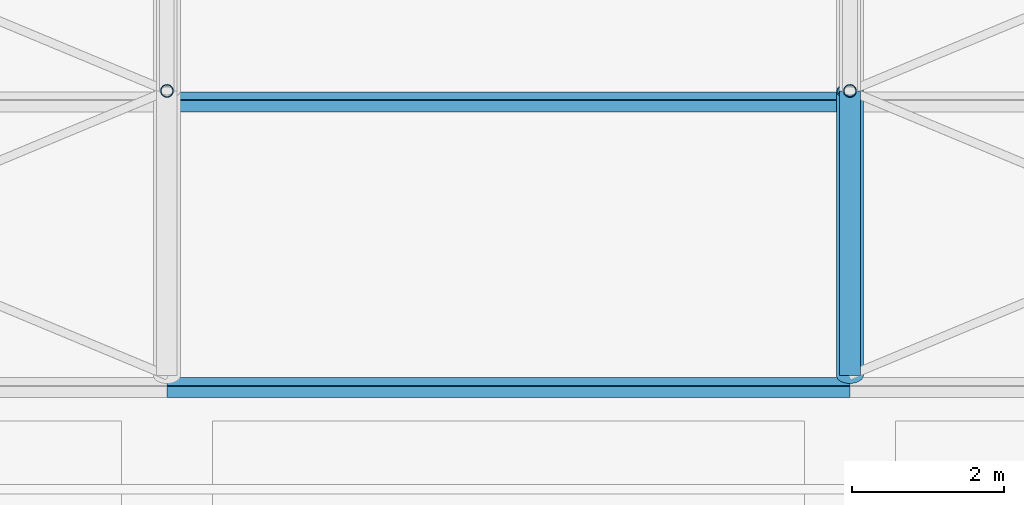
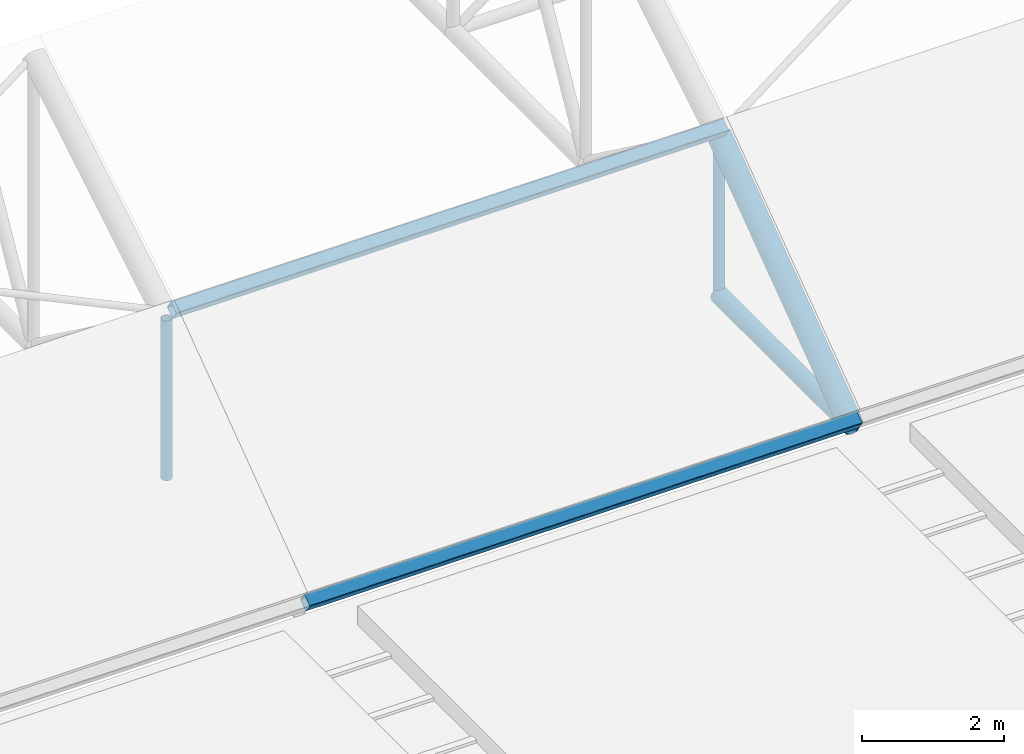
# One storey, part 22 of 153: 6 members.
"""IFC4 building model written with IfcOpenShell, lengths in metres."""

from ifc_helpers import new_model, si_unit, direction, frame, origin, origin_2d, place, context, subcontext, project, spatial, hollow_rectangle, hollow_circle, extrude, material, material_profile, profile_set, type_object, element, save


model = new_model("IFC4")

# Units and contexts
model_context = context("Model", 3, precision=1e-05, world=origin(), true_north=direction((0.0, 1.0)))
body_context = subcontext(model_context, "Body", "Model", "MODEL_VIEW")
ifc_project = project(units=[si_unit("LENGTHUNIT", "METRE"), si_unit("AREAUNIT", "SQUARE_METRE"), si_unit("VOLUMEUNIT", "CUBIC_METRE"), si_unit("PLANEANGLEUNIT", "RADIAN"), si_unit("MASSUNIT", "GRAM", prefix="KILO")], contexts=[model_context])

# Site, building, storey
site_placement = place(None, origin())
site = spatial("IfcSite", under=ifc_project, at=site_placement, CompositionType="ELEMENT")
building_placement = place(site_placement, origin())
building = spatial("IfcBuilding", under=site, at=building_placement, Name="Baradari Gate Terminus", CompositionType="ELEMENT")
storey_placement = place(building_placement, frame((0.0, 0.0, 11.699951171875)))
storey = spatial("IfcBuildingStorey", under=building, at=storey_placement, Name="L02", CompositionType="ELEMENT", Elevation=11.699951171875)

# Members
ifc_material_1 = material(Name="Steel S355", Category="steel")
ifc_material_profile_1 = material_profile(ifc_material_1, hollow_circle(Radius=0.136474609375, WallThickness=0.012451171875, at=origin_2d()), Name="CHS 273x12.5")
ifc_profile_set_1 = profile_set([ifc_material_profile_1], Name="Steel S355")
member_type_1 = type_object("IfcMemberType", Name="Shed bottom chord CHS 273x12.5", PredefinedType="CHORD", material=ifc_profile_set_1)
member_1_placement = place(storey_placement, frame((117.0, 36.0, 0.136474609375), z_axis=(0.0, 1.0, 0.0), x_axis=(-1.0, 0.0, 0.0)))
element("IfcMember", 1, at=member_1_placement, inside=storey, type_object=member_type_1, Name="TR/L02/S117-BC00", PredefinedType="CHORD", context=body_context, shape_type="SweptSolid", body=[
    extrude(hollow_circle(Radius=0.136474609375, WallThickness=0.012451171875, at=origin_2d()), origin(), (0.0, 0.0, 1.0), 3.75),
])
ifc_material_2 = material(Name="Steel S355", Category="steel")
ifc_material_profile_2 = material_profile(ifc_material_2, hollow_rectangle(XDim=0.199951171875, YDim=0.199951171875, WallThickness=0.008056640625, InnerFilletRadius=0.008056640625, OuterFilletRadius=0.01611328125, at=origin_2d()), Name="SHS 200x200x8")
ifc_profile_set_2 = profile_set([ifc_material_profile_2], Name="Steel S355")
member_type_2 = type_object("IfcMemberType", Name="Shed purlin SHS 200x200x8", PredefinedType="PURLIN", material=ifc_profile_set_2)
for number, where, z_axis, x_axis, name in (
    (2, (108.0, 35.8427734375, 0.350830078125), (1.0, 0.0, 0.0), (0.0, 0.80640499586, 0.591363663621), "TR/L02/B117-PU00"),
    (3, (108.0, 39.602783203125, 3.10791015625), (1.0, 0.0, 0.0), (0.0, 0.832836263724, 0.55351942859), "TR/L02/B117-PU01"),
):
    element("IfcMember", number, at=place(storey_placement, frame(where, z_axis=z_axis, x_axis=x_axis)), inside=storey, type_object=member_type_2, Name=name, PredefinedType="PURLIN", context=body_context, shape_type="SweptSolid", body=[
        extrude(hollow_rectangle(XDim=0.199951171875, YDim=0.199951171875, WallThickness=0.008056640625, InnerFilletRadius=0.008056640625, OuterFilletRadius=0.01611328125, at=origin_2d()), origin(), (0.0, 0.0, 1.0), 9.0),
    ])
ifc_material_3 = material(Name="Steel S355", Category="steel")
ifc_material_profile_3 = material_profile(ifc_material_3, hollow_circle(Radius=0.177734375, WallThickness=0.01611328125, at=origin_2d()), Name="CHS 355.6x16")
ifc_profile_set_3 = profile_set([ifc_material_profile_3], Name="Steel S355")
member_type_3 = type_object("IfcMemberType", Name="Shed top chord CHS 355.6x16", PredefinedType="CHORD", material=ifc_profile_set_3)
member_2_placement = place(storey_placement, frame((117.0, 36.0, 0.136474609375), z_axis=(0.0, 0.806404995856, 0.591363663628), x_axis=(-1.0, 0.0, 0.0)))
element("IfcMember", 4, at=member_2_placement, inside=storey, type_object=member_type_3, Name="TR/L02/S117-TC00", PredefinedType="CHORD", context=body_context, shape_type="SweptSolid", body=[
    extrude(hollow_circle(Radius=0.177734375, WallThickness=0.01611328125, at=origin_2d()), origin(), (0.0, 0.0, 1.0), 4.650390625),
])
ifc_material_4 = material(Name="Steel S355", Category="steel")
ifc_material_profile_4 = material_profile(ifc_material_4, hollow_circle(Radius=0.084228515625, WallThickness=0.008056640625, at=origin_2d()), Name="CHS 168.3x8")
ifc_profile_set_4 = profile_set([ifc_material_profile_4], Name="Steel S355")
member_type_4 = type_object("IfcMemberType", Name="Shed truss post CHS 168.3x8", PredefinedType="POST", material=ifc_profile_set_4)
for number, where, z_axis, x_axis, name in (
    (5, (108.0, 39.75, 0.136474609375), (0.0, 0.0, 1.0), (1.0, 0.0, 0.0), "TR/L02/S108-SP01"),
    (6, (117.0, 39.75, 0.136474609375), (0.0, 0.0, 1.0), (1.0, 0.0, 0.0), "TR/L02/S117-SP01"),
):
    element("IfcMember", number, at=place(storey_placement, frame(where, z_axis=z_axis, x_axis=x_axis)), inside=storey, type_object=member_type_4, Name=name, PredefinedType="POST", context=body_context, shape_type="SweptSolid", body=[
        extrude(hollow_circle(Radius=0.084228515625, WallThickness=0.008056640625, at=origin_2d()), origin(), (0.0, 0.0, 1.0), 2.75),
    ])

save(model, "model.ifc")
